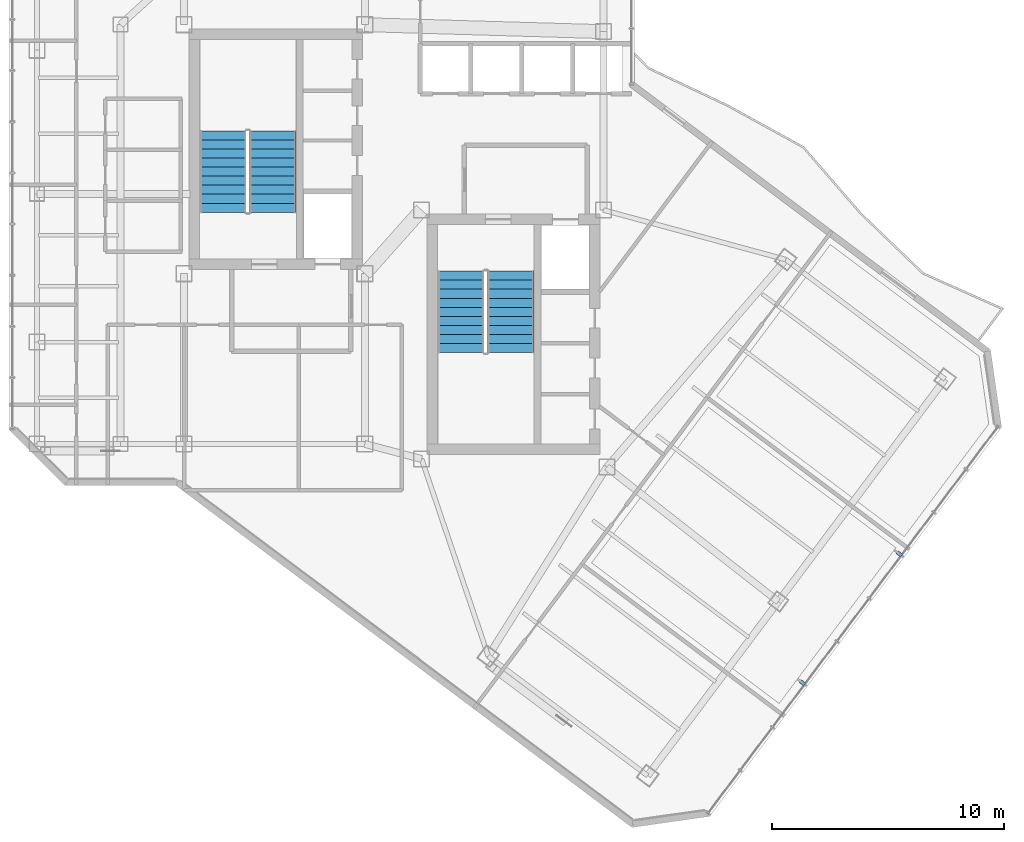
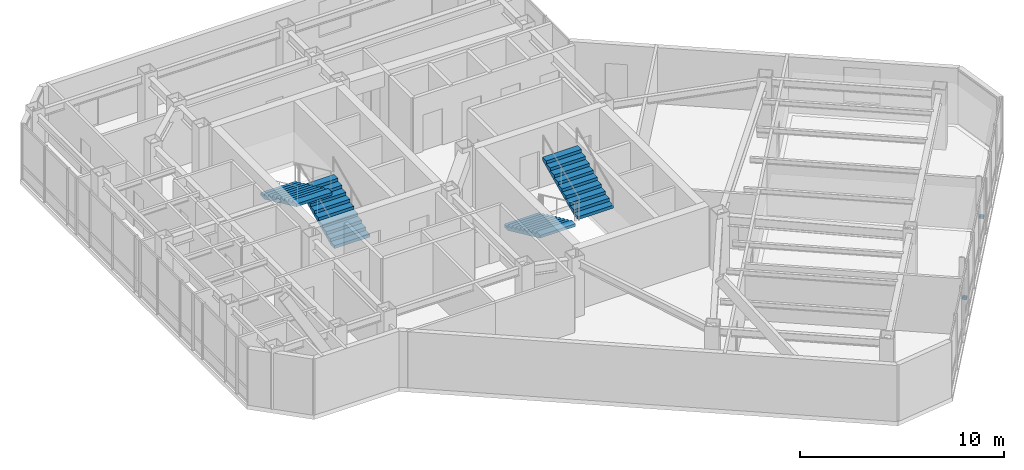
# One storey, part 22 of 26: 4 stair flights, 2 discrete accessories, 2 elements without a shape of their own.
"""IFC4 building model written with IfcOpenShell, lengths in metres."""

from ifc_helpers import new_model, si_unit, direction, frame, origin, origin_2d, place, context, subcontext, project, spatial, polyline, rectangle, outline, extrude, material, type_object, element, aggregate, save


model = new_model("IFC4")

# Units and contexts
model_context = context("Model", 3, precision=1e-05, world=origin(), true_north=direction((0.0, 1.0)))
body_context = subcontext(model_context, "Body", "Model", "MODEL_VIEW")
ifc_project = project(units=[si_unit("LENGTHUNIT", "METRE"), si_unit("AREAUNIT", "SQUARE_METRE"), si_unit("VOLUMEUNIT", "CUBIC_METRE"), si_unit("PLANEANGLEUNIT", "RADIAN"), si_unit("MASSUNIT", "GRAM", prefix="KILO")], contexts=[model_context])

# Site, building, storey
site_placement = place(None, origin())
site = spatial("IfcSite", under=ifc_project, at=site_placement, CompositionType="ELEMENT")
building_placement = place(site_placement, origin())
building = spatial("IfcBuilding", under=site, at=building_placement, Name="Hatsunagi Terrace Concourse", CompositionType="ELEMENT")
storey_placement = place(building_placement, frame((0.0, 0.0, 227.550048828125)))
storey = spatial("IfcBuildingStorey", under=building, at=storey_placement, Name="L60", CompositionType="ELEMENT", Elevation=227.550048828125)

# Stair, stair flights
ifc_material_1 = material(Name="Concrete Fc42", Category="concrete")
stair_type = type_object("IfcStairType", Name="DoglegExitStair_Tower2000_20R_180", PredefinedType="HALF_TURN_STAIR", material=ifc_material_1)
stair_1_placement = place(storey_placement, origin())
stair_1 = element("IfcStair", 1, at=stair_1_placement, inside=storey, type_object=stair_type, Name="L60 Core A Protected Exit Stair ST-A", PredefinedType="HALF_TURN_STAIR")
ifc_material_2 = material(Name="Concrete Fc42", Category="concrete")
stair_flight_type = type_object("IfcStairFlightType", Name="DoglegStairFlight_Tower2000_20R_180", PredefinedType="STRAIGHT", material=ifc_material_2)
stair_flight_1_placement = place(storey_placement, frame((29.3798828125, 35.199951171875, 0.0), z_axis=(0.0, 0.0, 1.0), x_axis=(0.0, 1.0, 0.0)))
stair_flight_1 = element("IfcStairFlight", 2, at=stair_flight_1_placement, type_object=stair_flight_type, Name="ST-A flight 1", NumberOfRisers=10, NumberOfTreads=9, PredefinedType="STRAIGHT", RiserHeight=0.18, TreadLength=0.39, context=body_context, shape_type="SweptSolid", body=[
    extrude(outline(polyline([(0.0, 0.0), (0.0, 0.179931640625), (0.389892578125, 0.179931640625), (0.389892578125, 0.360107421875), (0.780029296875, 0.360107421875), (0.780029296875, 0.5400390625), (1.169921875, 0.5400390625), (1.169921875, 0.719970703125), (1.56005859375, 0.719970703125), (1.56005859375, 0.89990234375), (1.949951171875, 0.89990234375), (1.949951171875, 1.080078125), (2.340087890625, 1.080078125), (2.340087890625, 1.260009765625), (2.72998046875, 1.260009765625), (2.72998046875, 1.43994140625), (3.1201171875, 1.43994140625), (3.1201171875, 1.6201171875), (3.510009765625, 1.6201171875), (3.510009765625, 1.800048828125), (3.510009765625, 1.454833984375), (0.357666015625, 0.0), (0.0, 0.0)])), frame((0.0, 1.0, 0.0), z_axis=(0.0, -1.0, 0.0), x_axis=(1.0, 0.0, 0.0)), (0.0, 0.0, 1.0), 2.0),
])
stair_flight_2_placement = place(storey_placement, frame((27.22998046875, 38.7099609375, 1.800048828125), z_axis=(0.0, 0.0, 1.0), x_axis=(0.0, -1.0, 0.0)))
stair_flight_2 = element("IfcStairFlight", 3, at=stair_flight_2_placement, type_object=stair_flight_type, Name="ST-A flight 2", NumberOfRisers=10, NumberOfTreads=9, PredefinedType="STRAIGHT", RiserHeight=0.18, TreadLength=0.39, context=body_context, shape_type="SweptSolid", body=[
    extrude(outline(polyline([(0.0, 0.0), (0.0, 0.179931640625), (0.389892578125, 0.179931640625), (0.389892578125, 0.360107421875), (0.780029296875, 0.360107421875), (0.780029296875, 0.5400390625), (1.169921875, 0.5400390625), (1.169921875, 0.719970703125), (1.56005859375, 0.719970703125), (1.56005859375, 0.89990234375), (1.949951171875, 0.89990234375), (1.949951171875, 1.080078125), (2.340087890625, 1.080078125), (2.340087890625, 1.260009765625), (2.72998046875, 1.260009765625), (2.72998046875, 1.43994140625), (3.1201171875, 1.43994140625), (3.1201171875, 1.6201171875), (3.510009765625, 1.6201171875), (3.510009765625, 1.800048828125), (3.510009765625, 1.454833984375), (0.357666015625, 0.0), (0.0, 0.0)])), frame((0.0, 1.0, 0.0), z_axis=(0.0, -1.0, 0.0), x_axis=(1.0, 0.0, 0.0)), (0.0, 0.0, 1.0), 2.0),
])
aggregate(stair_1, [stair_flight_1, stair_flight_2])

stair_2_placement = place(storey_placement, origin())
stair_2 = element("IfcStair", 4, at=stair_2_placement, inside=storey, type_object=stair_type, Name="L60 Core B Protected Exit Stair ST-B", PredefinedType="HALF_TURN_STAIR")
stair_flight_3_placement = place(storey_placement, frame((37.5, 32.659912109375, 0.0), z_axis=(0.0, 0.0, 1.0), x_axis=(0.0, -1.0, 0.0)))
stair_flight_3 = element("IfcStairFlight", 5, at=stair_flight_3_placement, type_object=stair_flight_type, Name="ST-B flight 1", NumberOfRisers=10, NumberOfTreads=9, PredefinedType="STRAIGHT", RiserHeight=0.18, TreadLength=0.39, context=body_context, shape_type="SweptSolid", body=[
    extrude(outline(polyline([(0.0, 0.0), (0.0, 0.179931640625), (0.389892578125, 0.179931640625), (0.389892578125, 0.360107421875), (0.780029296875, 0.360107421875), (0.780029296875, 0.5400390625), (1.169921875, 0.5400390625), (1.169921875, 0.719970703125), (1.56005859375, 0.719970703125), (1.56005859375, 0.89990234375), (1.949951171875, 0.89990234375), (1.949951171875, 1.080078125), (2.340087890625, 1.080078125), (2.340087890625, 1.260009765625), (2.72998046875, 1.260009765625), (2.72998046875, 1.43994140625), (3.1201171875, 1.43994140625), (3.1201171875, 1.6201171875), (3.510009765625, 1.6201171875), (3.510009765625, 1.800048828125), (3.510009765625, 1.454833984375), (0.357666015625, 0.0), (0.0, 0.0)])), frame((0.0, 1.0, 0.0), z_axis=(0.0, -1.0, 0.0), x_axis=(1.0, 0.0, 0.0)), (0.0, 0.0, 1.0), 2.0),
])
stair_flight_4_placement = place(storey_placement, frame((39.64990234375, 29.14990234375, 1.800048828125), z_axis=(0.0, 0.0, 1.0), x_axis=(0.0, 1.0, 0.0)))
stair_flight_4 = element("IfcStairFlight", 6, at=stair_flight_4_placement, type_object=stair_flight_type, Name="ST-B flight 2", NumberOfRisers=10, NumberOfTreads=9, PredefinedType="STRAIGHT", RiserHeight=0.18, TreadLength=0.39, context=body_context, shape_type="SweptSolid", body=[
    extrude(outline(polyline([(0.0, 0.0), (0.0, 0.179931640625), (0.389892578125, 0.179931640625), (0.389892578125, 0.360107421875), (0.780029296875, 0.360107421875), (0.780029296875, 0.5400390625), (1.169921875, 0.5400390625), (1.169921875, 0.719970703125), (1.56005859375, 0.719970703125), (1.56005859375, 0.89990234375), (1.949951171875, 0.89990234375), (1.949951171875, 1.080078125), (2.340087890625, 1.080078125), (2.340087890625, 1.260009765625), (2.72998046875, 1.260009765625), (2.72998046875, 1.43994140625), (3.1201171875, 1.43994140625), (3.1201171875, 1.6201171875), (3.510009765625, 1.6201171875), (3.510009765625, 1.800048828125), (3.510009765625, 1.454833984375), (0.357666015625, 0.0), (0.0, 0.0)])), frame((0.0, 1.0, 0.0), z_axis=(0.0, -1.0, 0.0), x_axis=(1.0, 0.0, 0.0)), (0.0, 0.0, 1.0), 2.0),
])
aggregate(stair_2, [stair_flight_3, stair_flight_4])

# Discrete accessories
ifc_material_3 = material(Name="Stainless Steel SUS316 Bracket", Category="steel")
discrete_accessory_type = type_object("IfcDiscreteAccessoryType", Name="FacadeScreenSupportBracket_SS", PredefinedType="BRACKET", material=ifc_material_3)
for number, where, z_axis, x_axis, name in (
    (7, (56.427978515625, 20.455078125, 0.97021484375), (0.0, 0.0, 1.0), (-0.599969314634, -0.800023013105, 0.0), "Terracotta Screen Bracket BRK-01"),
    (8, (52.251953125, 14.885009765625, 0.97021484375), (0.0, 0.0, 1.0), (-0.599969314634, -0.800023013105, 0.0), "Terracotta Screen Bracket BRK-01"),
):
    element("IfcDiscreteAccessory", number, at=place(storey_placement, frame(where, z_axis=z_axis, x_axis=x_axis)), inside=storey, type_object=discrete_accessory_type, Name=name, PredefinedType="BRACKET", context=body_context, shape_type="SweptSolid", body=[
        extrude(rectangle(XDim=0.159912109375, YDim=0.239990234375, at=origin_2d()), origin(), (0.0, 0.0, 1.0), 0.159912109375),
    ])

save(model, "model.ifc")
